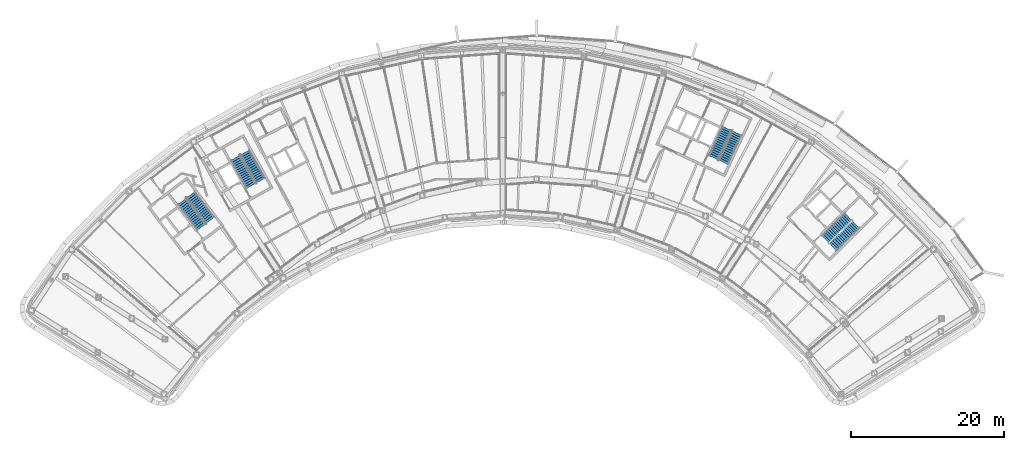
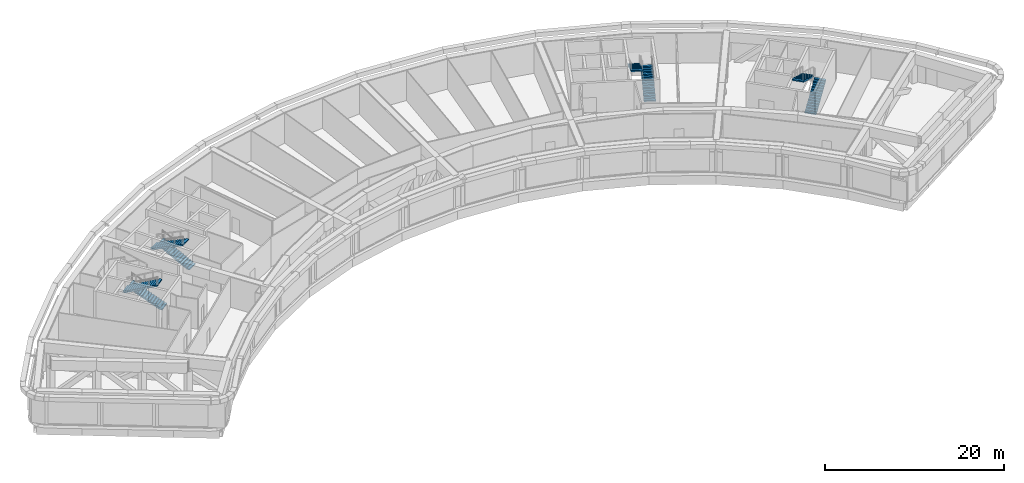
# One storey, part 13 of 25: 8 stair flights, 4 elements without a shape of their own.
"""IFC4 building model written with IfcOpenShell, lengths in metres."""

from ifc_helpers import new_model, si_unit, direction, frame, origin, place, context, subcontext, project, spatial, polyline, outline, extrude, material, type_object, element, aggregate, save


model = new_model("IFC4")

# Units and contexts
model_context = context("Model", 3, precision=1e-05, world=origin(), true_north=direction((0.0, 1.0)))
body_context = subcontext(model_context, "Body", "Model", "MODEL_VIEW")
ifc_project = project(units=[si_unit("LENGTHUNIT", "METRE"), si_unit("AREAUNIT", "SQUARE_METRE"), si_unit("VOLUMEUNIT", "CUBIC_METRE"), si_unit("PLANEANGLEUNIT", "RADIAN"), si_unit("MASSUNIT", "GRAM", prefix="KILO")], contexts=[model_context])

# Site, building, storey
site_placement = place(None, origin())
site = spatial("IfcSite", under=ifc_project, at=site_placement, CompositionType="ELEMENT")
building_placement = place(site_placement, origin())
building = spatial("IfcBuilding", under=site, at=building_placement, Name="Tuul Gate Civic Tower", CompositionType="ELEMENT")
storey_placement = place(building_placement, frame((0.0, 0.0, 133.699951171875)))
storey = spatial("IfcBuildingStorey", under=building, at=storey_placement, Name="Plant and refuge floor 4", CompositionType="ELEMENT", Elevation=133.699951171875)

# Stair, stair flights
ifc_material_1 = material(Name="Concrete C40/50", Category="concrete")
stair_type = type_object("IfcStairType", Name="Exit stair", PredefinedType="HALF_TURN_STAIR", material=ifc_material_1)
stair_1_placement = place(storey_placement, origin())
stair_1 = element("IfcStair", 1, at=stair_1_placement, inside=storey, type_object=stair_type, Name="Plant and refuge floor 4 ST-1", PredefinedType="HALF_TURN_STAIR")
ifc_material_2 = material(Name="Concrete C40/50", Category="concrete")
stair_flight_type = type_object("IfcStairFlightType", Name="Exit stair flight", PredefinedType="STRAIGHT", material=ifc_material_2)
stair_flight_1_placement = place(storey_placement, frame((-32.875244140625, -13.066650390625, 0.0), z_axis=(0.0, 0.0, 1.0), x_axis=(-0.605764474941, 0.795644016442, 0.0)))
stair_flight_1 = element("IfcStairFlight", 2, at=stair_flight_1_placement, type_object=stair_flight_type, Name="ST-1 flight 1", NumberOfRisers=15, NumberOfTreads=14, PredefinedType="STRAIGHT", RiserHeight=0.15, TreadLength=0.3, context=body_context, shape_type="SweptSolid", body=[
    extrude(outline(polyline([(0.0, 0.0), (0.0, 0.14990234375), (0.300048828125, 0.14990234375), (0.300048828125, 0.300048828125), (0.60009765625, 0.300048828125), (0.60009765625, 0.449951171875), (0.89990234375, 0.449951171875), (0.89990234375, 0.60009765625), (1.199951171875, 0.60009765625), (1.199951171875, 0.75), (1.5, 0.75), (1.5, 0.89990234375), (1.800048828125, 0.89990234375), (1.800048828125, 1.050048828125), (2.10009765625, 1.050048828125), (2.10009765625, 1.199951171875), (2.39990234375, 1.199951171875), (2.39990234375, 1.35009765625), (2.699951171875, 1.35009765625), (2.699951171875, 1.5), (3.0, 1.5), (3.0, 1.64990234375), (3.300048828125, 1.64990234375), (3.300048828125, 1.800048828125), (3.60009765625, 1.800048828125), (3.60009765625, 1.949951171875), (3.89990234375, 1.949951171875), (3.89990234375, 2.10009765625), (4.199951171875, 2.10009765625), (4.199951171875, 2.25), (4.199951171875, 1.932373046875), (0.335205078125, 0.0), (0.0, 0.0)])), frame((0.0, 0.675048828125, 0.0), z_axis=(0.0, -1.0, 0.0), x_axis=(1.0, 0.0, 0.0)), (0.0, 0.0, 1.0), 1.35009765625),
])
stair_flight_2_placement = place(storey_placement, frame((-36.5732421875, -10.603515625, 2.25), z_axis=(0.0, 0.0, 1.0), x_axis=(0.605764474941, -0.795644016442, 0.0)))
stair_flight_2 = element("IfcStairFlight", 3, at=stair_flight_2_placement, type_object=stair_flight_type, Name="ST-1 flight 2", NumberOfRisers=15, NumberOfTreads=14, PredefinedType="STRAIGHT", RiserHeight=0.15, TreadLength=0.3, context=body_context, shape_type="SweptSolid", body=[
    extrude(outline(polyline([(0.0, 0.0), (0.0, 0.14990234375), (0.300048828125, 0.14990234375), (0.300048828125, 0.300048828125), (0.60009765625, 0.300048828125), (0.60009765625, 0.449951171875), (0.89990234375, 0.449951171875), (0.89990234375, 0.60009765625), (1.199951171875, 0.60009765625), (1.199951171875, 0.75), (1.5, 0.75), (1.5, 0.89990234375), (1.800048828125, 0.89990234375), (1.800048828125, 1.050048828125), (2.10009765625, 1.050048828125), (2.10009765625, 1.199951171875), (2.39990234375, 1.199951171875), (2.39990234375, 1.35009765625), (2.699951171875, 1.35009765625), (2.699951171875, 1.5), (3.0, 1.5), (3.0, 1.64990234375), (3.300048828125, 1.64990234375), (3.300048828125, 1.800048828125), (3.60009765625, 1.800048828125), (3.60009765625, 1.949951171875), (3.89990234375, 1.949951171875), (3.89990234375, 2.10009765625), (4.199951171875, 2.10009765625), (4.199951171875, 2.25), (4.199951171875, 1.932373046875), (0.335205078125, 0.0), (0.0, 0.0)])), frame((0.0, 0.675048828125, 0.0), z_axis=(0.0, -1.0, 0.0), x_axis=(1.0, 0.0, 0.0)), (0.0, 0.0, 1.0), 1.35009765625),
])
aggregate(stair_1, [stair_flight_1, stair_flight_2])

stair_2_placement = place(storey_placement, origin())
stair_2 = element("IfcStair", 4, at=stair_2_placement, inside=storey, type_object=stair_type, Name="Plant and refuge floor 4 ST-2", PredefinedType="HALF_TURN_STAIR")
stair_flight_3_placement = place(storey_placement, frame((-26.29150390625, -7.87646484375, 0.0), z_axis=(0.0, 0.0, 1.0), x_axis=(-0.484761763766, 0.874646232708, 0.0)))
stair_flight_3 = element("IfcStairFlight", 5, at=stair_flight_3_placement, type_object=stair_flight_type, Name="ST-2 flight 1", NumberOfRisers=15, NumberOfTreads=14, PredefinedType="STRAIGHT", RiserHeight=0.15, TreadLength=0.3, context=body_context, shape_type="SweptSolid", body=[
    extrude(outline(polyline([(0.0, 0.0), (0.0, 0.14990234375), (0.300048828125, 0.14990234375), (0.300048828125, 0.300048828125), (0.60009765625, 0.300048828125), (0.60009765625, 0.449951171875), (0.89990234375, 0.449951171875), (0.89990234375, 0.60009765625), (1.199951171875, 0.60009765625), (1.199951171875, 0.75), (1.5, 0.75), (1.5, 0.89990234375), (1.800048828125, 0.89990234375), (1.800048828125, 1.050048828125), (2.10009765625, 1.050048828125), (2.10009765625, 1.199951171875), (2.39990234375, 1.199951171875), (2.39990234375, 1.35009765625), (2.699951171875, 1.35009765625), (2.699951171875, 1.5), (3.0, 1.5), (3.0, 1.64990234375), (3.300048828125, 1.64990234375), (3.300048828125, 1.800048828125), (3.60009765625, 1.800048828125), (3.60009765625, 1.949951171875), (3.89990234375, 1.949951171875), (3.89990234375, 2.10009765625), (4.199951171875, 2.10009765625), (4.199951171875, 2.25), (4.199951171875, 1.932373046875), (0.335205078125, 0.0), (0.0, 0.0)])), frame((0.0, 0.675048828125, 0.0), z_axis=(0.0, -1.0, 0.0), x_axis=(1.0, 0.0, 0.0)), (0.0, 0.0, 1.0), 1.35009765625),
])
stair_flight_4_placement = place(storey_placement, frame((-29.595947265625, -4.90576171875, 2.25), z_axis=(0.0, 0.0, 1.0), x_axis=(0.484761763766, -0.874646232708, 0.0)))
stair_flight_4 = element("IfcStairFlight", 6, at=stair_flight_4_placement, type_object=stair_flight_type, Name="ST-2 flight 2", NumberOfRisers=15, NumberOfTreads=14, PredefinedType="STRAIGHT", RiserHeight=0.15, TreadLength=0.3, context=body_context, shape_type="SweptSolid", body=[
    extrude(outline(polyline([(0.0, 0.0), (0.0, 0.14990234375), (0.300048828125, 0.14990234375), (0.300048828125, 0.300048828125), (0.60009765625, 0.300048828125), (0.60009765625, 0.449951171875), (0.89990234375, 0.449951171875), (0.89990234375, 0.60009765625), (1.199951171875, 0.60009765625), (1.199951171875, 0.75), (1.5, 0.75), (1.5, 0.89990234375), (1.800048828125, 0.89990234375), (1.800048828125, 1.050048828125), (2.10009765625, 1.050048828125), (2.10009765625, 1.199951171875), (2.39990234375, 1.199951171875), (2.39990234375, 1.35009765625), (2.699951171875, 1.35009765625), (2.699951171875, 1.5), (3.0, 1.5), (3.0, 1.64990234375), (3.300048828125, 1.64990234375), (3.300048828125, 1.800048828125), (3.60009765625, 1.800048828125), (3.60009765625, 1.949951171875), (3.89990234375, 1.949951171875), (3.89990234375, 2.10009765625), (4.199951171875, 2.10009765625), (4.199951171875, 2.25), (4.199951171875, 1.932373046875), (0.335205078125, 0.0), (0.0, 0.0)])), frame((0.0, 0.675048828125, 0.0), z_axis=(0.0, -1.0, 0.0), x_axis=(1.0, 0.0, 0.0)), (0.0, 0.0, 1.0), 1.35009765625),
])
aggregate(stair_2, [stair_flight_3, stair_flight_4])

stair_3_placement = place(storey_placement, origin())
stair_3 = element("IfcStair", 7, at=stair_3_placement, inside=storey, type_object=stair_type, Name="Plant and refuge floor 4 ST-3", PredefinedType="HALF_TURN_STAIR")
stair_flight_5_placement = place(storey_placement, frame((48.61376953125, -16.581787109375, 0.0), z_axis=(0.0, 0.0, 1.0), x_axis=(0.714127290059, 0.700015866672, 0.0)))
stair_flight_5 = element("IfcStairFlight", 8, at=stair_flight_5_placement, type_object=stair_flight_type, Name="ST-3 flight 1", NumberOfRisers=15, NumberOfTreads=14, PredefinedType="STRAIGHT", RiserHeight=0.15, TreadLength=0.3, context=body_context, shape_type="SweptSolid", body=[
    extrude(outline(polyline([(0.0, 0.0), (0.0, 0.14990234375), (0.300048828125, 0.14990234375), (0.300048828125, 0.300048828125), (0.60009765625, 0.300048828125), (0.60009765625, 0.449951171875), (0.89990234375, 0.449951171875), (0.89990234375, 0.60009765625), (1.199951171875, 0.60009765625), (1.199951171875, 0.75), (1.5, 0.75), (1.5, 0.89990234375), (1.800048828125, 0.89990234375), (1.800048828125, 1.050048828125), (2.10009765625, 1.050048828125), (2.10009765625, 1.199951171875), (2.39990234375, 1.199951171875), (2.39990234375, 1.35009765625), (2.699951171875, 1.35009765625), (2.699951171875, 1.5), (3.0, 1.5), (3.0, 1.64990234375), (3.300048828125, 1.64990234375), (3.300048828125, 1.800048828125), (3.60009765625, 1.800048828125), (3.60009765625, 1.949951171875), (3.89990234375, 1.949951171875), (3.89990234375, 2.10009765625), (4.199951171875, 2.10009765625), (4.199951171875, 2.25), (4.199951171875, 1.932373046875), (0.335205078125, 0.0), (0.0, 0.0)])), frame((0.0, 0.675048828125, 0.0), z_axis=(0.0, -1.0, 0.0), x_axis=(1.0, 0.0, 0.0)), (0.0, 0.0, 1.0), 1.35009765625),
])
stair_flight_6_placement = place(storey_placement, frame((50.59814453125, -12.606201171875, 2.25), z_axis=(0.0, 0.0, 1.0), x_axis=(-0.714127290059, -0.700015866672, 0.0)))
stair_flight_6 = element("IfcStairFlight", 9, at=stair_flight_6_placement, type_object=stair_flight_type, Name="ST-3 flight 2", NumberOfRisers=15, NumberOfTreads=14, PredefinedType="STRAIGHT", RiserHeight=0.15, TreadLength=0.3, context=body_context, shape_type="SweptSolid", body=[
    extrude(outline(polyline([(0.0, 0.0), (0.0, 0.14990234375), (0.300048828125, 0.14990234375), (0.300048828125, 0.300048828125), (0.60009765625, 0.300048828125), (0.60009765625, 0.449951171875), (0.89990234375, 0.449951171875), (0.89990234375, 0.60009765625), (1.199951171875, 0.60009765625), (1.199951171875, 0.75), (1.5, 0.75), (1.5, 0.89990234375), (1.800048828125, 0.89990234375), (1.800048828125, 1.050048828125), (2.10009765625, 1.050048828125), (2.10009765625, 1.199951171875), (2.39990234375, 1.199951171875), (2.39990234375, 1.35009765625), (2.699951171875, 1.35009765625), (2.699951171875, 1.5), (3.0, 1.5), (3.0, 1.64990234375), (3.300048828125, 1.64990234375), (3.300048828125, 1.800048828125), (3.60009765625, 1.800048828125), (3.60009765625, 1.949951171875), (3.89990234375, 1.949951171875), (3.89990234375, 2.10009765625), (4.199951171875, 2.10009765625), (4.199951171875, 2.25), (4.199951171875, 1.932373046875), (0.335205078125, 0.0), (0.0, 0.0)])), frame((0.0, 0.675048828125, 0.0), z_axis=(0.0, -1.0, 0.0), x_axis=(1.0, 0.0, 0.0)), (0.0, 0.0, 1.0), 1.35009765625),
])
aggregate(stair_3, [stair_flight_5, stair_flight_6])

stair_4_placement = place(storey_placement, origin())
stair_4 = element("IfcStair", 10, at=stair_4_placement, inside=storey, type_object=stair_type, Name="Plant and refuge floor 4 ST-4", PredefinedType="HALF_TURN_STAIR")
stair_flight_7_placement = place(storey_placement, frame((34.278564453125, -5.478515625, 0.0), z_axis=(0.0, 0.0, 1.0), x_axis=(0.422576295988, 0.906327354806, 0.0)))
stair_flight_7 = element("IfcStairFlight", 11, at=stair_flight_7_placement, type_object=stair_flight_type, Name="ST-4 flight 1", NumberOfRisers=15, NumberOfTreads=14, PredefinedType="STRAIGHT", RiserHeight=0.15, TreadLength=0.3, context=body_context, shape_type="SweptSolid", body=[
    extrude(outline(polyline([(0.0, 0.0), (0.0, 0.14990234375), (0.300048828125, 0.14990234375), (0.300048828125, 0.300048828125), (0.60009765625, 0.300048828125), (0.60009765625, 0.449951171875), (0.89990234375, 0.449951171875), (0.89990234375, 0.60009765625), (1.199951171875, 0.60009765625), (1.199951171875, 0.75), (1.5, 0.75), (1.5, 0.89990234375), (1.800048828125, 0.89990234375), (1.800048828125, 1.050048828125), (2.10009765625, 1.050048828125), (2.10009765625, 1.199951171875), (2.39990234375, 1.199951171875), (2.39990234375, 1.35009765625), (2.699951171875, 1.35009765625), (2.699951171875, 1.5), (3.0, 1.5), (3.0, 1.64990234375), (3.300048828125, 1.64990234375), (3.300048828125, 1.800048828125), (3.60009765625, 1.800048828125), (3.60009765625, 1.949951171875), (3.89990234375, 1.949951171875), (3.89990234375, 2.10009765625), (4.199951171875, 2.10009765625), (4.199951171875, 2.25), (4.199951171875, 1.932373046875), (0.335205078125, 0.0), (0.0, 0.0)])), frame((0.0, 0.675048828125, 0.0), z_axis=(0.0, -1.0, 0.0), x_axis=(1.0, 0.0, 0.0)), (0.0, 0.0, 1.0), 1.35009765625),
])
stair_flight_8_placement = place(storey_placement, frame((34.7392578125, -1.059326171875, 2.25), z_axis=(0.0, 0.0, 1.0), x_axis=(-0.422576295988, -0.906327354806, 0.0)))
stair_flight_8 = element("IfcStairFlight", 12, at=stair_flight_8_placement, type_object=stair_flight_type, Name="ST-4 flight 2", NumberOfRisers=15, NumberOfTreads=14, PredefinedType="STRAIGHT", RiserHeight=0.15, TreadLength=0.3, context=body_context, shape_type="SweptSolid", body=[
    extrude(outline(polyline([(0.0, 0.0), (0.0, 0.14990234375), (0.300048828125, 0.14990234375), (0.300048828125, 0.300048828125), (0.60009765625, 0.300048828125), (0.60009765625, 0.449951171875), (0.89990234375, 0.449951171875), (0.89990234375, 0.60009765625), (1.199951171875, 0.60009765625), (1.199951171875, 0.75), (1.5, 0.75), (1.5, 0.89990234375), (1.800048828125, 0.89990234375), (1.800048828125, 1.050048828125), (2.10009765625, 1.050048828125), (2.10009765625, 1.199951171875), (2.39990234375, 1.199951171875), (2.39990234375, 1.35009765625), (2.699951171875, 1.35009765625), (2.699951171875, 1.5), (3.0, 1.5), (3.0, 1.64990234375), (3.300048828125, 1.64990234375), (3.300048828125, 1.800048828125), (3.60009765625, 1.800048828125), (3.60009765625, 1.949951171875), (3.89990234375, 1.949951171875), (3.89990234375, 2.10009765625), (4.199951171875, 2.10009765625), (4.199951171875, 2.25), (4.199951171875, 1.932373046875), (0.335205078125, 0.0), (0.0, 0.0)])), frame((0.0, 0.675048828125, 0.0), z_axis=(0.0, -1.0, 0.0), x_axis=(1.0, 0.0, 0.0)), (0.0, 0.0, 1.0), 1.35009765625),
])
aggregate(stair_4, [stair_flight_7, stair_flight_8])

save(model, "model.ifc")
